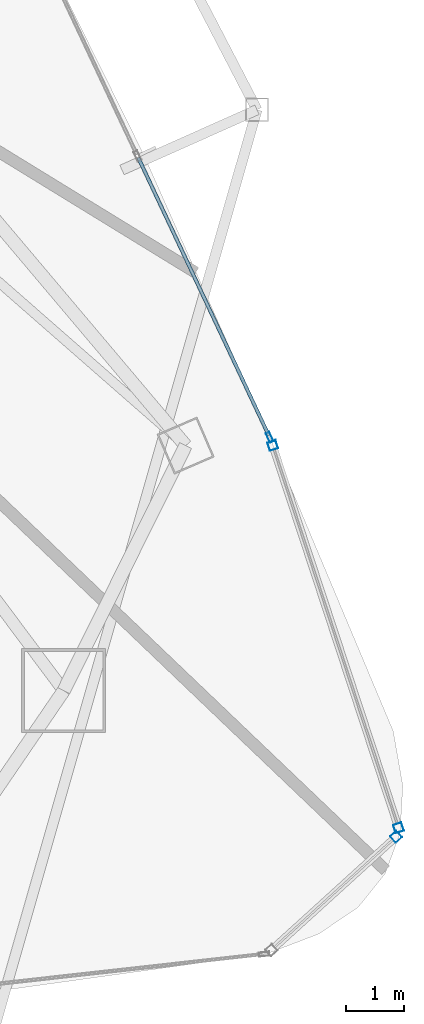
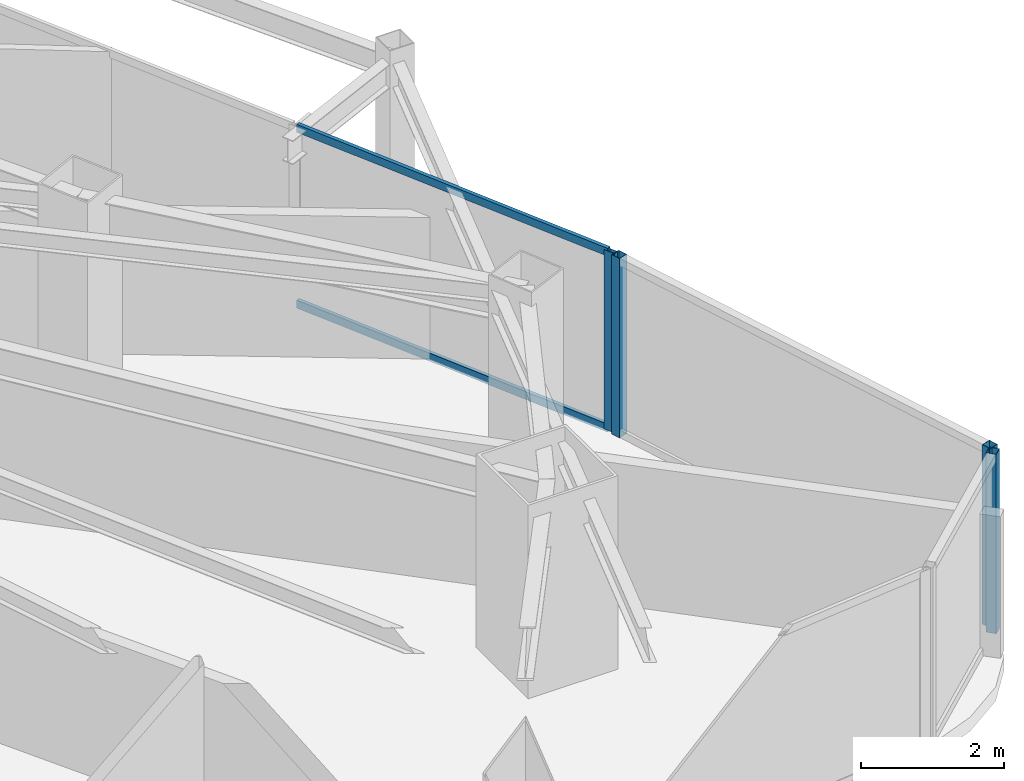
# One storey, part 15 of 29: 6 members, 3 elements without a shape of their own.
"""IFC4 building model written with IfcOpenShell, lengths in metres."""

from ifc_helpers import new_model, si_unit, direction, frame, origin, origin_2d, place, context, subcontext, project, spatial, hollow_rectangle, extrude, material, layer, layer_set, material_profile, profile_set, type_object, element, aggregate, save


model = new_model("IFC4")

# Units and contexts
model_context = context("Model", 3, precision=1e-05, world=origin(), true_north=direction((0.0, 1.0)))
body_context = subcontext(model_context, "Body", "Model", "MODEL_VIEW")
ifc_project = project(units=[si_unit("LENGTHUNIT", "METRE"), si_unit("AREAUNIT", "SQUARE_METRE"), si_unit("VOLUMEUNIT", "CUBIC_METRE"), si_unit("PLANEANGLEUNIT", "RADIAN"), si_unit("MASSUNIT", "GRAM", prefix="KILO")], contexts=[model_context])

# Site, building, storey
site_placement = place(None, origin())
site = spatial("IfcSite", under=ifc_project, at=site_placement, CompositionType="ELEMENT")
building_placement = place(site_placement, origin())
building = spatial("IfcBuilding", under=site, at=building_placement, Name="Orvanel Arch Residences", CompositionType="ELEMENT")
storey_placement = place(building_placement, frame((0.0, 0.0, 170.449951171875)))
storey = spatial("IfcBuildingStorey", under=building, at=storey_placement, Name="L48", CompositionType="ELEMENT", Elevation=170.449951171875)

# Curtain wall, member
ifc_material = material(Name="Bronze-anodised aluminium AA6063-T6", Category="aluminium")
ifc_layer_1 = layer(ifc_material, 0.18994140625)
ifc_layer_set_1 = layer_set([ifc_layer_1], Name="Bronze-anodised aluminium AA6063-T6")
curtain_wall_type_1 = type_object("IfcCurtainWallType", Name="CW5-CRN-SYS", PredefinedType="NOTDEFINED", material=ifc_layer_set_1)
curtain_wall_1_placement = place(storey_placement, origin())
curtain_wall_1 = element("IfcCurtainWall", 1, at=curtain_wall_1_placement, inside=storey, type_object=curtain_wall_type_1, Name="L48 CW5-CRN-SYS Unitised Curtain Wall", PredefinedType="NOTDEFINED")
ifc_material_profile_1 = material_profile(ifc_material, hollow_rectangle(XDim=0.14990234375, YDim=0.14990234375, WallThickness=0.0048828125, at=origin_2d()), Name="ALU150x150x5")
ifc_profile_set_1 = profile_set([ifc_material_profile_1], Name="Bronze-anodised aluminium AA6063-T6")
member_type_1 = type_object("IfcMemberType", Name="MUL-150x150", PredefinedType="MULLION", material=ifc_profile_set_1)
member_1_placement = place(storey_placement, frame((57.53759765625, 7.83056640625, 0.0), z_axis=(0.0, 0.0, 1.0), x_axis=(-0.672461234192, 0.740132345266, 0.0)))
member_1 = element("IfcMember", 2, at=member_1_placement, type_object=member_type_1, Name="CW-S5 mullion 2", PredefinedType="MULLION", context=body_context, shape_type="SweptSolid", body=[
    extrude(hollow_rectangle(XDim=0.14990234375, YDim=0.14990234375, WallThickness=0.0048828125, at=origin_2d()), origin(), (0.0, 0.0, 1.0), 3.06005859375),
])
aggregate(curtain_wall_1, [member_1])

# Curtain wall, members
curtain_wall_2_placement = place(storey_placement, origin())
curtain_wall_2 = element("IfcCurtainWall", 3, at=curtain_wall_2_placement, inside=storey, type_object=curtain_wall_type_1, Name="L48 CW5-CRN-SYS Unitised Curtain Wall", PredefinedType="NOTDEFINED")
member_2_placement = place(storey_placement, frame((57.57861328125, 7.984130859375, 0.0), z_axis=(0.0, 0.0, 1.0), x_axis=(-0.949943951015, -0.312420373744, 0.0)))
member_2 = element("IfcMember", 4, at=member_2_placement, type_object=member_type_1, Name="CW-S5 mullion 1", PredefinedType="MULLION", context=body_context, shape_type="SweptSolid", body=[
    extrude(hollow_rectangle(XDim=0.14990234375, YDim=0.14990234375, WallThickness=0.0048828125, at=origin_2d()), origin(), (0.0, 0.0, 1.0), 3.06005859375),
])
member_3_placement = place(storey_placement, frame((55.408447265625, 14.582763671875, 0.0), z_axis=(0.0, 0.0, 1.0), x_axis=(-0.949943951015, -0.312420373744, 0.0)))
member_3 = element("IfcMember", 5, at=member_3_placement, type_object=member_type_1, Name="CW-S5 mullion 2", PredefinedType="MULLION", context=body_context, shape_type="SweptSolid", body=[
    extrude(hollow_rectangle(XDim=0.14990234375, YDim=0.14990234375, WallThickness=0.0048828125, at=origin_2d()), origin(), (0.0, 0.0, 1.0), 3.06005859375),
])
aggregate(curtain_wall_2, [member_2, member_3])

ifc_layer_2 = layer(ifc_material, 0.179931640625)
ifc_layer_set_2 = layer_set([ifc_layer_2], Name="Bronze-anodised aluminium AA6063-T6")
curtain_wall_type_2 = type_object("IfcCurtainWallType", Name="CW3-MID-SYS", PredefinedType="NOTDEFINED", material=ifc_layer_set_2)
curtain_wall_3_placement = place(storey_placement, origin())
curtain_wall_3 = element("IfcCurtainWall", 6, at=curtain_wall_3_placement, inside=storey, type_object=curtain_wall_type_2, Name="L48 CW3-MID-SYS Unitised Curtain Wall", PredefinedType="NOTDEFINED")
ifc_material_profile_2 = material_profile(ifc_material, hollow_rectangle(XDim=0.070068359375, YDim=0.179931640625, WallThickness=0.00439453125, at=origin_2d()), Name="ALU180x70x4.5")
ifc_profile_set_2 = profile_set([ifc_material_profile_2], Name="Bronze-anodised aluminium AA6063-T6")
member_type_2 = type_object("IfcMemberType", Name="MUL-180x70", PredefinedType="MULLION", material=ifc_profile_set_2)
member_4_placement = place(storey_placement, frame((55.355224609375, 14.72265625, 0.0), z_axis=(0.0, 0.0, 1.0), x_axis=(-0.905089296983, -0.425221547533, 0.0)))
member_4 = element("IfcMember", 7, at=member_4_placement, type_object=member_type_2, Name="CW-S3 mullion 1", PredefinedType="MULLION", context=body_context, shape_type="SweptSolid", body=[
    extrude(hollow_rectangle(XDim=0.070068359375, YDim=0.179931640625, WallThickness=0.00439453125, at=origin_2d()), origin(), (0.0, 0.0, 1.0), 3.06005859375),
])
ifc_material_profile_3 = material_profile(ifc_material, hollow_rectangle(XDim=0.06005859375, YDim=0.135009765625, WallThickness=0.00390625, at=origin_2d()), Name="ALU135x60x4")
ifc_profile_set_3 = profile_set([ifc_material_profile_3], Name="Bronze-anodised aluminium AA6063-T6")
member_type_3 = type_object("IfcMemberType", Name="TRN-135x60", PredefinedType="USERDEFINED", material=ifc_profile_set_3)
member_5_placement = place(storey_placement, frame((55.34033203125, 14.75439453125, 0.030029296875), z_axis=(-0.42523722933, 0.905081929325, 0.0), x_axis=(-0.905081929325, -0.42523722933, 0.0)))
member_5 = element("IfcMember", 8, at=member_5_placement, type_object=member_type_3, Name="CW-S3 transom 1.1", ObjectType="TRANSOM", PredefinedType="USERDEFINED", context=body_context, shape_type="SweptSolid", body=[
    extrude(hollow_rectangle(XDim=0.06005859375, YDim=0.135009765625, WallThickness=0.00390625, at=origin_2d()), origin(), (0.0, 0.0, 1.0), 5.29345703125),
])
member_6_placement = place(storey_placement, frame((55.34033203125, 14.75439453125, 3.030029296875), z_axis=(-0.42523722933, 0.905081929325, 0.0), x_axis=(-0.905081929325, -0.42523722933, 0.0)))
member_6 = element("IfcMember", 9, at=member_6_placement, type_object=member_type_3, Name="CW-S3 transom 1.2", ObjectType="TRANSOM", PredefinedType="USERDEFINED", context=body_context, shape_type="SweptSolid", body=[
    extrude(hollow_rectangle(XDim=0.06005859375, YDim=0.135009765625, WallThickness=0.00390625, at=origin_2d()), origin(), (0.0, 0.0, 1.0), 5.29345703125),
])
aggregate(curtain_wall_3, [member_4, member_5, member_6])

save(model, "model.ifc")
